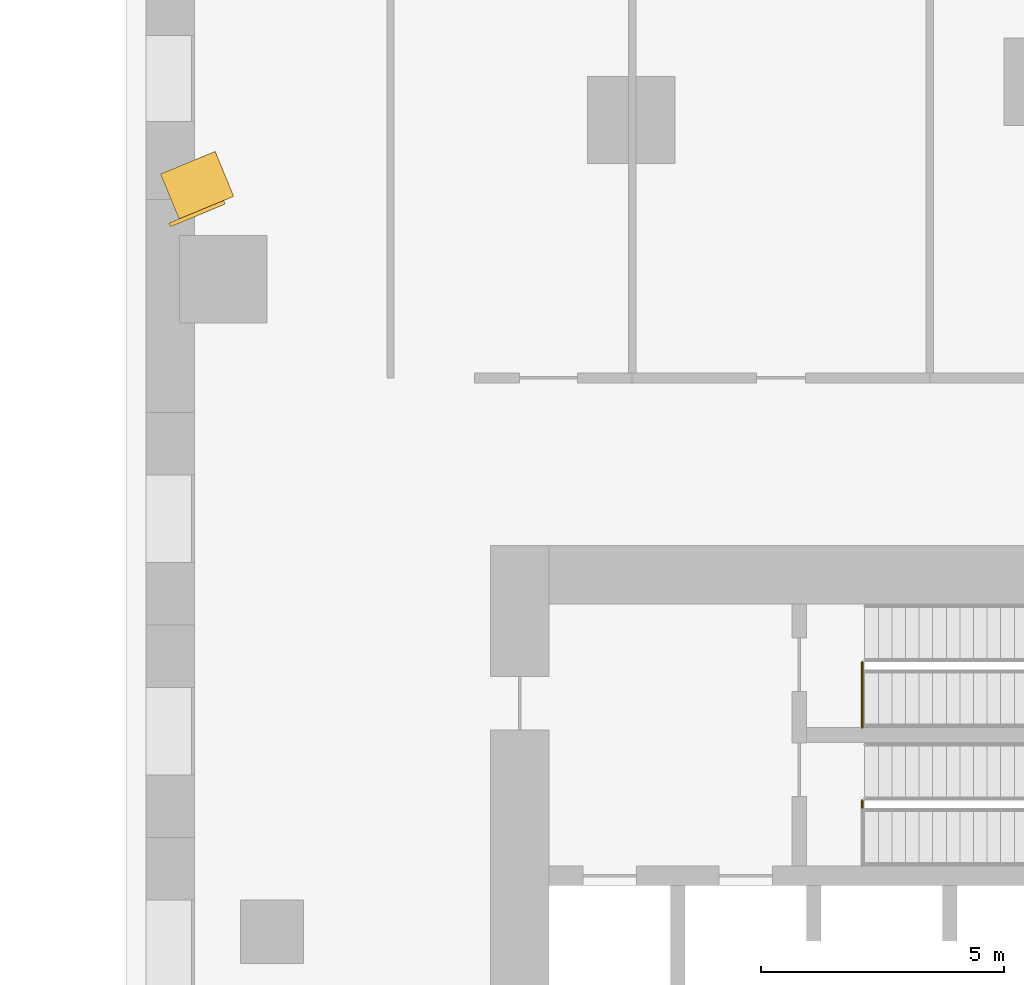
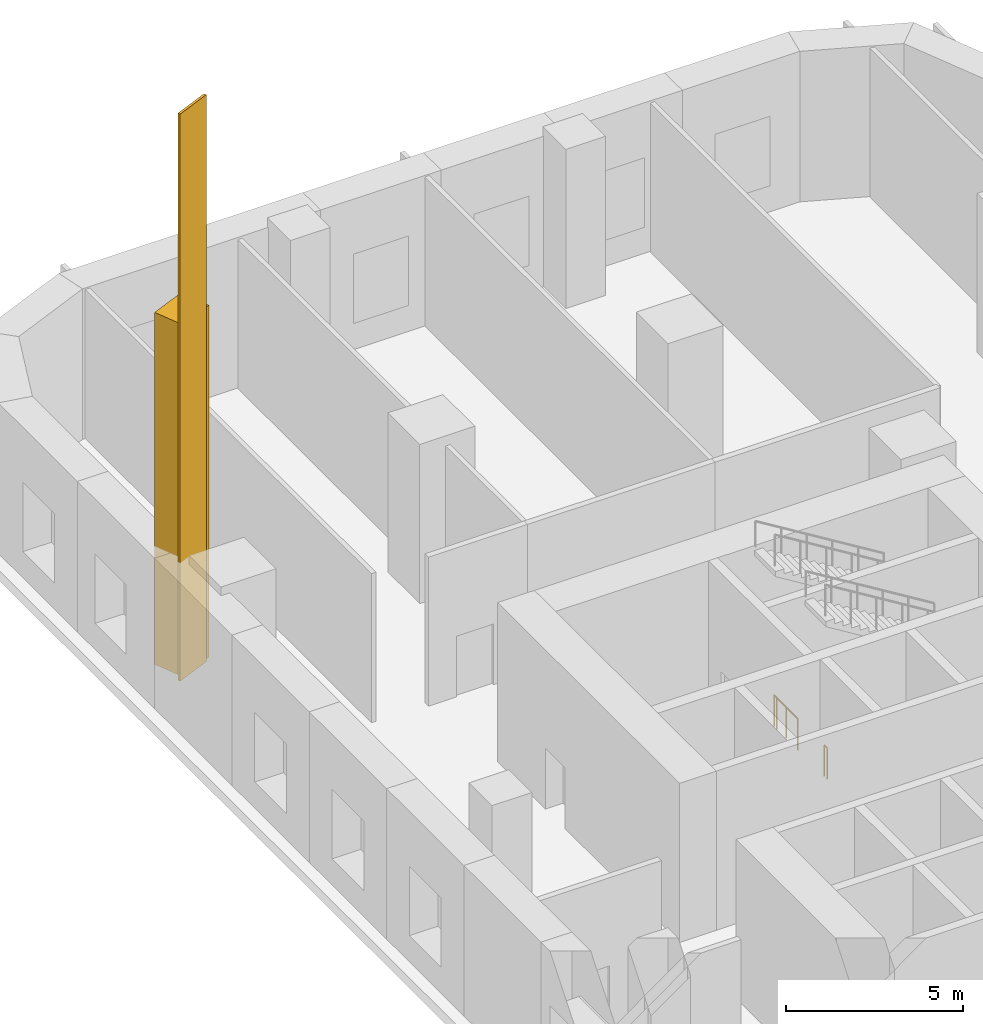
# One storey, part 10 of 12: 3 railings, 2 coverings.
"""IFC4 building model written with IfcOpenShell, lengths in metres."""

from ifc_helpers import new_model, si_unit, direction, frame, frame_2d, origin, origin_2d, place, context, subcontext, project, spatial, rectangle, circle, extrude, material, layer, layer_set, type_object, element, save


model = new_model("IFC4")

# Units and contexts
model_context = context("Model", 3, precision=1e-05, world=origin(), true_north=direction((0.0, 1.0)))
body_context = subcontext(model_context, "Body", "Model", "MODEL_VIEW")
ifc_project = project(units=[si_unit("LENGTHUNIT", "METRE"), si_unit("AREAUNIT", "SQUARE_METRE"), si_unit("VOLUMEUNIT", "CUBIC_METRE"), si_unit("PLANEANGLEUNIT", "RADIAN"), si_unit("MASSUNIT", "GRAM", prefix="KILO")], contexts=[model_context])

# Site, building, storey
site_placement = place(None, origin())
site = spatial("IfcSite", under=ifc_project, at=site_placement, CompositionType="ELEMENT")
building_placement = place(site_placement, origin())
building = spatial("IfcBuilding", under=site, at=building_placement, Name="Ostrand Prow Hotel Tower", CompositionType="ELEMENT")
storey_placement = place(building_placement, frame((0.0, 0.0, 8.0)))
storey = spatial("IfcBuildingStorey", under=building, at=storey_placement, Name="L01", CompositionType="ELEMENT", Elevation=8.0)

# Coverings
ifc_material_1 = material(Name="Dark bronze anodised aluminium lining", Category="aluminium")
ifc_layer_1 = layer(ifc_material_1, 0.080078125)
ifc_layer_set_1 = layer_set([ifc_layer_1], Name="Dark bronze anodised aluminium lining")
covering_type_1 = type_object("IfcCoveringType", Name="Arch spandrel limestone cladding 80 mm", PredefinedType="CLADDING", material=ifc_layer_set_1)
covering_1_placement = place(storey_placement, frame((42.895751953125, 23.551025390625, 1.104248046875), z_axis=(0.0, 0.0, 1.0), x_axis=(0.923882316545, 0.382676711045, 0.0)))
element("IfcCovering", 1, at=covering_1_placement, inside=storey, type_object=covering_type_1, Name="Arch spandrel cladding N 14", PredefinedType="CLADDING", context=body_context, shape_type="SweptSolid", body=[
    extrude(rectangle(XDim=1.216552734375, YDim=0.080078125, at=frame_2d((0.6083984375, 0.0))), origin(), (0.0, 0.0, 1.0), 19.595703125),
])
ifc_material_2 = material(Name="Limestone cladding", Category="masonry")
ifc_layer_2 = layer(ifc_material_2, 1.0)
ifc_layer_set_2 = layer_set([ifc_layer_2], Name="Limestone cladding")
covering_type_2 = type_object("IfcCoveringType", Name="Portal frame limestone 1000 mm", PredefinedType="CLADDING", material=ifc_layer_set_2)
covering_2_placement = place(storey_placement, frame((42.895751953125, 24.135986328125, 1.10400390625), z_axis=(0.0, 0.0, 1.0), x_axis=(0.924307618455, 0.38164830206, 0.0)))
element("IfcCovering", 2, at=covering_2_placement, inside=storey, type_object=covering_type_2, Name="Portal frame N 14", PredefinedType="CLADDING", context=body_context, shape_type="SweptSolid", body=[
    extrude(rectangle(XDim=1.216064453125, YDim=1.0, at=frame_2d((0.60791015625, 0.0))), origin(), (0.0, 0.0, 1.0), 12.16357421875),
])

# Railings
ifc_material_3 = material(Name="Painted steel", Category="steel")
railing_type = type_object("IfcRailingType", Name="Stair guard 1100", PredefinedType="GUARDRAIL", material=ifc_material_3)
railing_1_placement = place(storey_placement, frame((57.14990234375, 11.550048828125, 0.0)))
element("IfcRailing", 3, at=railing_1_placement, inside=storey, type_object=railing_type, Name="L01 ST1B stair guard 4", PredefinedType="GUARDRAIL", context=body_context, shape_type="SweptSolid", body=[
    extrude(circle(Radius=0.02392578125, at=origin_2d()), frame((0.0, 0.0, 1.076171875), z_axis=(0.0, 1.0, 0.0), x_axis=(-1.0, 0.0, 0.0)), (0.0, 0.0, 1.0), 0.14990234375),
    extrude(circle(Radius=0.02099609375, at=origin_2d()), origin(), (0.0, 0.0, 1.0), 1.052001953125),
    extrude(circle(Radius=0.02099609375, at=origin_2d()), frame((0.0, 0.14990234375, 0.0)), (0.0, 0.0, 1.0), 1.052001953125),
])
railing_2_placement = place(storey_placement, frame((57.14990234375, 13.199951171875, 0.0)))
element("IfcRailing", 4, at=railing_2_placement, inside=storey, type_object=railing_type, Name="L01 ST3A top well guard 1", PredefinedType="GUARDRAIL", context=body_context, shape_type="SweptSolid", body=[
    extrude(circle(Radius=0.02392578125, at=origin_2d()), frame((0.0, 0.0, 1.076171875), z_axis=(0.0, 1.0, 0.0), x_axis=(-1.0, 0.0, 0.0)), (0.0, 0.0, 1.0), 1.35009765625),
    extrude(circle(Radius=0.02099609375, at=origin_2d()), origin(), (0.0, 0.0, 1.0), 1.052001953125),
    extrude(circle(Radius=0.02099609375, at=origin_2d()), frame((0.0, 0.675048828125, 0.0)), (0.0, 0.0, 1.0), 1.052001953125),
    extrude(circle(Radius=0.02099609375, at=origin_2d()), frame((0.0, 1.35009765625, 0.0)), (0.0, 0.0, 1.0), 1.052001953125),
])
railing_3_placement = place(storey_placement, frame((57.14990234375, 14.39990234375, 0.0)))
element("IfcRailing", 5, at=railing_3_placement, inside=storey, type_object=railing_type, Name="L01 ST3B stair guard 4", PredefinedType="GUARDRAIL", context=body_context, shape_type="SweptSolid", body=[
    extrude(circle(Radius=0.02392578125, at=origin_2d()), frame((0.0, 0.0, 1.076171875), z_axis=(0.0, 1.0, 0.0), x_axis=(-1.0, 0.0, 0.0)), (0.0, 0.0, 1.0), 0.150146484375),
    extrude(circle(Radius=0.02099609375, at=origin_2d()), origin(), (0.0, 0.0, 1.0), 1.052001953125),
    extrude(circle(Radius=0.02099609375, at=origin_2d()), frame((0.0, 0.150146484375, 0.0)), (0.0, 0.0, 1.0), 1.052001953125),
])

save(model, "model.ifc")
